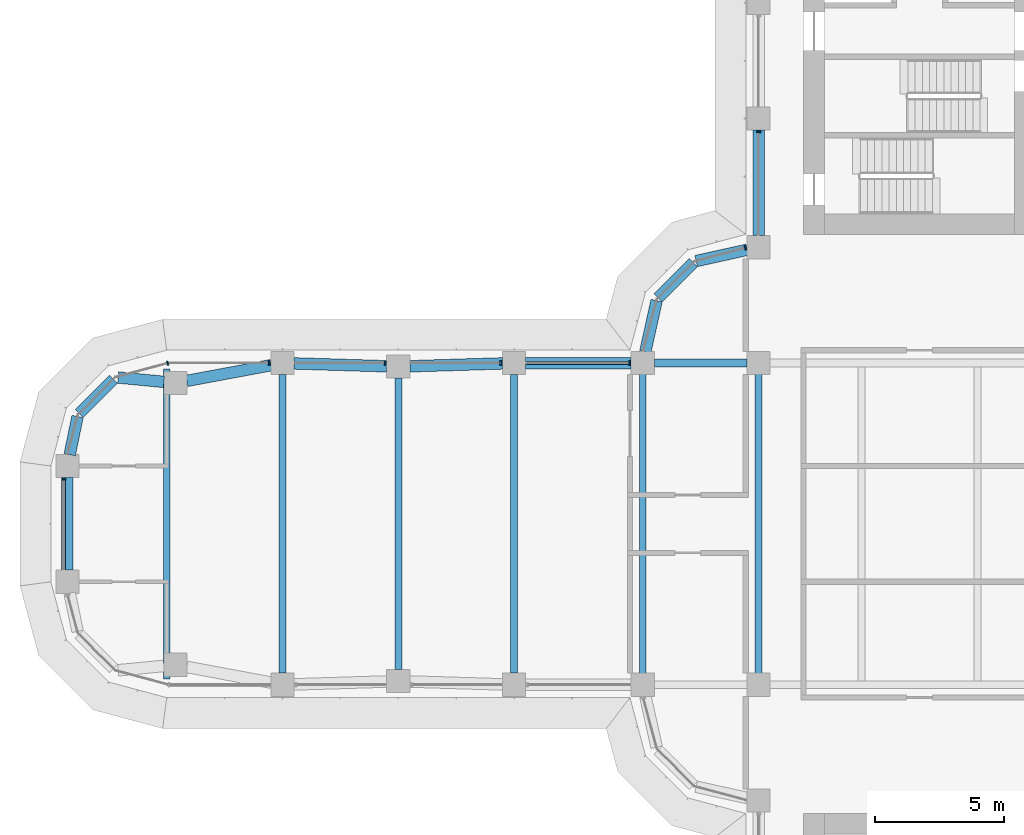
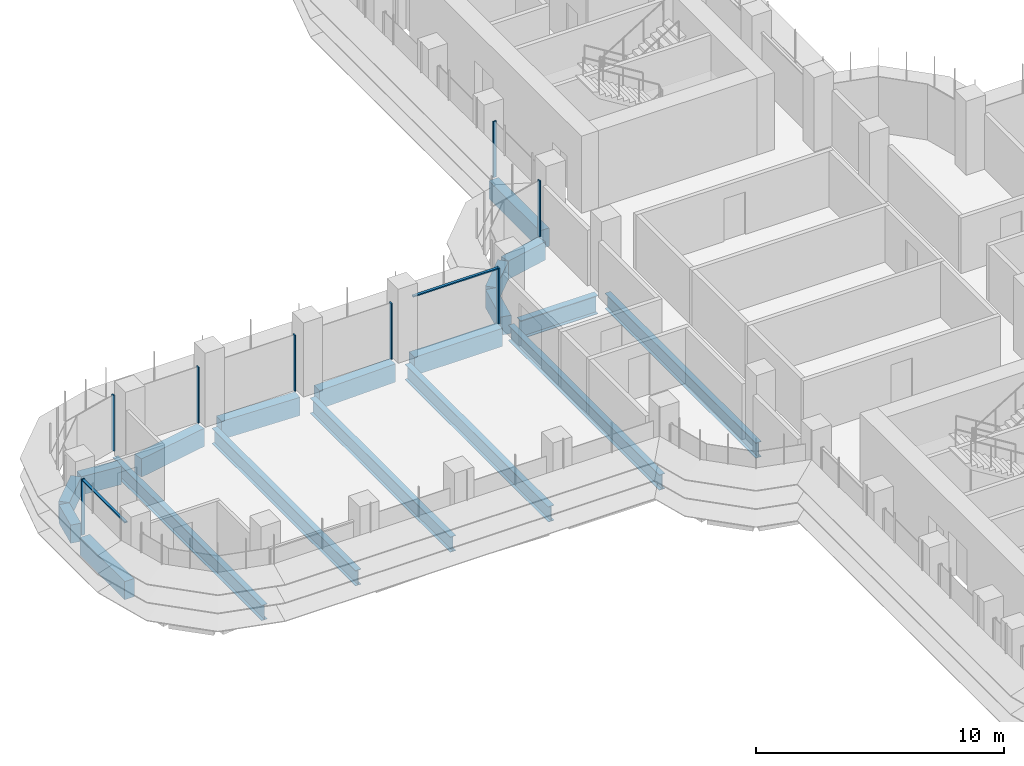
# One storey, part 6 of 22: 19 beams, 10 members, 5 elements without a shape of their own.
"""IFC4 building model written with IfcOpenShell, lengths in metres."""

from ifc_helpers import new_model, si_unit, direction, frame, origin, origin_2d, place, context, subcontext, project, spatial, polyline, rectangle, i_section, outline, extrude, source, transform, mapped, material, material_profile, profile_set, type_object, element, aggregate, save


model = new_model("IFC4")

# Units and contexts
model_context = context("Model", 3, precision=1e-05, world=origin(), true_north=direction((0.0, 1.0)))
body_context = subcontext(model_context, "Body", "Model", "MODEL_VIEW")
ifc_project = project(units=[si_unit("LENGTHUNIT", "METRE"), si_unit("AREAUNIT", "SQUARE_METRE"), si_unit("VOLUMEUNIT", "CUBIC_METRE"), si_unit("PLANEANGLEUNIT", "RADIAN"), si_unit("MASSUNIT", "GRAM", prefix="KILO")], contexts=[model_context])

# Site, building, storey
site_placement = place(None, origin())
site = spatial("IfcSite", under=ifc_project, at=site_placement, CompositionType="ELEMENT")
building_placement = place(site_placement, origin())
building = spatial("IfcBuilding", under=site, at=building_placement, Name="Zarbagh Exchange Tower", CompositionType="ELEMENT")
storey_placement = place(building_placement, frame((0.0, 0.0, 94.199951171875)))
storey = spatial("IfcBuildingStorey", under=building, at=storey_placement, Name="L21", CompositionType="ELEMENT", Elevation=94.199951171875)

# Beams
ifc_material_1 = material(Name="Steel ASTM A992 Gr 50", Category="steel")
ifc_material_profile_1 = material_profile(ifc_material_1, i_section(OverallWidth=0.2666015625, OverallDepth=0.7568359375, WebThickness=0.013916015625, FlangeThickness=0.019287109375, at=origin_2d()), Name="W30X108")
ifc_profile_set_1 = profile_set([ifc_material_profile_1], Name="Steel ASTM A992 Gr 50")
beam_type_1 = type_object("IfcBeamType", Name="Floor beam W30X108", PredefinedType="BEAM", material=ifc_profile_set_1)
for number, where, z_axis, x_axis, name in (
    (1, (-10.75, -6.09765625, -0.5283203125), (0.0, 1.0, 0.0), (-1.0, 0.0, 0.0), "Steel floor beam"),
    (2, (-6.25, -6.09765625, -0.5283203125), (0.0, 1.0, 0.0), (-1.0, 0.0, 0.0), "Steel floor beam"),
):
    element("IfcBeam", number, at=place(storey_placement, frame(where, z_axis=z_axis, x_axis=x_axis)), inside=storey, type_object=beam_type_1, Name=name, PredefinedType="BEAM", context=body_context, shape_type="SweptSolid", body=[
        extrude(i_section(OverallWidth=0.2666015625, OverallDepth=0.7568359375, WebThickness=0.013916015625, FlangeThickness=0.019287109375, at=origin_2d()), origin(), (0.0, 0.0, 1.0), 12.1953125),
    ])
beam_1_placement = place(storey_placement, frame((-15.75, -5.800048828125, -0.5283203125), z_axis=(0.0, 1.0, 0.0), x_axis=(-1.0, 0.0, 0.0)))
element("IfcBeam", 3, at=beam_1_placement, inside=storey, type_object=beam_type_1, Name="Steel floor beam", PredefinedType="BEAM", context=body_context, shape_type="SweptSolid", body=[
    extrude(i_section(OverallWidth=0.2666015625, OverallDepth=0.7568359375, WebThickness=0.013916015625, FlangeThickness=0.019287109375, at=origin_2d()), origin(), (0.0, 0.0, 1.0), 11.60009765625),
])
beam_2_placement = place(storey_placement, frame((-20.25, -5.659912109375, -0.5283203125), z_axis=(0.0, 1.0, 0.0), x_axis=(-1.0, 0.0, 0.0)))
element("IfcBeam", 4, at=beam_2_placement, inside=storey, type_object=beam_type_1, Name="Steel floor beam", PredefinedType="BEAM", context=body_context, shape_type="SweptSolid", body=[
    extrude(i_section(OverallWidth=0.2666015625, OverallDepth=0.7568359375, WebThickness=0.013916015625, FlangeThickness=0.019287109375, at=origin_2d()), origin(), (0.0, 0.0, 1.0), 11.31982421875),
])
beam_3_placement = place(storey_placement, frame((-24.75, -5.800048828125, -0.5283203125), z_axis=(0.0, 1.0, 0.0), x_axis=(-1.0, 0.0, 0.0)))
element("IfcBeam", 5, at=beam_3_placement, inside=storey, type_object=beam_type_1, Name="Steel floor beam", PredefinedType="BEAM", context=body_context, shape_type="SweptSolid", body=[
    extrude(i_section(OverallWidth=0.2666015625, OverallDepth=0.7568359375, WebThickness=0.013916015625, FlangeThickness=0.019287109375, at=origin_2d()), origin(), (0.0, 0.0, 1.0), 11.60009765625),
])
beam_4_placement = place(storey_placement, frame((-29.25, -6.02490234375, -0.5283203125), z_axis=(0.0, 1.0, 0.0), x_axis=(-1.0, 0.0, 0.0)))
element("IfcBeam", 6, at=beam_4_placement, inside=storey, type_object=beam_type_1, Name="Steel floor beam", PredefinedType="BEAM", context=body_context, shape_type="SweptSolid", body=[
    extrude(i_section(OverallWidth=0.2666015625, OverallDepth=0.7568359375, WebThickness=0.013916015625, FlangeThickness=0.019287109375, at=origin_2d()), origin(), (0.0, 0.0, 1.0), 12.0498046875),
])
ifc_material_profile_2 = material_profile(ifc_material_1, i_section(OverallWidth=0.3046875, OverallDepth=0.911865234375, WebThickness=0.015869140625, FlangeThickness=0.02392578125, at=origin_2d()), Name="W36X150")
ifc_profile_set_2 = profile_set([ifc_material_profile_2], Name="Steel ASTM A992 Gr 50")
beam_type_2 = type_object("IfcBeamType", Name="Floor girder W36X150", PredefinedType="BEAM", material=ifc_profile_set_2)
beam_5_placement = place(storey_placement, frame((-10.300048828125, 6.25, -0.60595703125), z_axis=(1.0, 0.0, 0.0), x_axis=(0.0, 1.0, 0.0)))
element("IfcBeam", 7, at=beam_5_placement, inside=storey, type_object=beam_type_2, Name="Steel girder", PredefinedType="BEAM", context=body_context, shape_type="SweptSolid", body=[
    extrude(i_section(OverallWidth=0.3046875, OverallDepth=0.911865234375, WebThickness=0.015869140625, FlangeThickness=0.02392578125, at=origin_2d()), origin(), (0.0, 0.0, 1.0), 3.60009765625),
])
ifc_material_2 = material(Name="Concrete C60/75", Category="concrete")
ifc_material_profile_3 = material_profile(ifc_material_2, rectangle(XDim=0.449951171875, YDim=0.89990234375, at=origin_2d()), Name="RC spandrel beam 450 x 900 C60/75")
ifc_profile_set_3 = profile_set([ifc_material_profile_3], Name="Concrete C60/75")
beam_type_3 = type_object("IfcBeamType", Name="RC spandrel beam 450 x 900 C60/75", PredefinedType="SPANDREL", material=ifc_profile_set_3)
beam_6_placement = place(storey_placement, frame((-33.110107421875, -1.800048828125, -0.599853515625), z_axis=(0.0, 1.0, 0.0), x_axis=(-1.0, 0.0, 0.0)))
element("IfcBeam", 8, at=beam_6_placement, inside=storey, type_object=beam_type_3, Name="RC spandrel beam", PredefinedType="SPANDREL", context=body_context, shape_type="SweptSolid", body=[
    extrude(rectangle(XDim=0.449951171875, YDim=0.89990234375, at=origin_2d()), origin(), (0.0, 0.0, 1.0), 3.60009765625),
])
beam_7_placement = place(storey_placement, frame((-33.01904296875, 2.690673828125, -0.599853515625), z_axis=(0.202275417995, 0.979328675816, 0.0), x_axis=(-0.979328675816, 0.202275417995, 0.0)))
element("IfcBeam", 9, at=beam_7_placement, inside=storey, type_object=beam_type_3, Name="RC spandrel beam", PredefinedType="SPANDREL", context=body_context, shape_type="SweptSolid", body=[
    extrude(rectangle(XDim=0.449951171875, YDim=0.89990234375, at=origin_2d()), origin(), (0.0, 0.0, 1.0), 1.515869140625),
])
beam_8_placement = place(storey_placement, frame((-32.651123046875, 4.288818359375, -0.599853515625), z_axis=(0.707106781187, 0.707106781187, 0.0), x_axis=(-0.707106781187, 0.707106781187, 0.0)))
element("IfcBeam", 10, at=beam_8_placement, inside=storey, type_object=beam_type_3, Name="RC spandrel beam", PredefinedType="SPANDREL", context=body_context, shape_type="SweptSolid", body=[
    extrude(rectangle(XDim=0.449951171875, YDim=0.89990234375, at=origin_2d()), origin(), (0.0, 0.0, 1.0), 1.887939453125),
])
beam_9_placement = place(storey_placement, frame((-31.135498046875, 5.688720703125, -0.599853515625), z_axis=(0.995433267802, -0.095459988228, 0.0), x_axis=(0.095459988228, 0.995433267802, 0.0)))
element("IfcBeam", 11, at=beam_9_placement, inside=storey, type_object=beam_type_3, Name="RC spandrel beam", PredefinedType="SPANDREL", context=body_context, shape_type="SweptSolid", body=[
    extrude(rectangle(XDim=0.449951171875, YDim=0.89990234375, at=origin_2d()), origin(), (0.0, 0.0, 1.0), 1.78759765625),
])
beam_10_placement = place(storey_placement, frame((-28.465576171875, 5.5576171875, -0.599853515625), z_axis=(0.98308156541, 0.183168326277, 0.0), x_axis=(-0.183168326277, 0.98308156541, 0.0)))
element("IfcBeam", 12, at=beam_10_placement, inside=storey, type_object=beam_type_3, Name="RC spandrel beam", PredefinedType="SPANDREL", context=body_context, shape_type="SweptSolid", body=[
    extrude(rectangle(XDim=0.449951171875, YDim=0.89990234375, at=origin_2d()), origin(), (0.0, 0.0, 1.0), 3.32958984375),
])
for number, where, z_axis, x_axis, name in (
    (13, (-24.30029296875, 6.236083984375, -0.599853515625), (0.999516035224, -0.031107801747, 0.0), (0.031107801747, 0.999516035224, 0.0), "RC spandrel beam"),
    (14, (-19.80029296875, 6.1240234375, -0.599853515625), (0.999516035224, 0.031107801747, 0.0), (-0.031107801747, 0.999516035224, 0.0), "RC spandrel beam"),
):
    element("IfcBeam", number, at=place(storey_placement, frame(where, z_axis=z_axis, x_axis=x_axis)), inside=storey, type_object=beam_type_3, Name=name, PredefinedType="SPANDREL", context=body_context, shape_type="SweptSolid", body=[
        extrude(rectangle(XDim=0.449951171875, YDim=0.89990234375, at=origin_2d()), origin(), (0.0, 0.0, 1.0), 3.602294921875),
    ])
beam_11_placement = place(storey_placement, frame((-15.300048828125, 6.25, -0.599853515625), z_axis=(1.0, 0.0, 0.0), x_axis=(0.0, 1.0, 0.0)))
element("IfcBeam", 15, at=beam_11_placement, inside=storey, type_object=beam_type_3, Name="RC spandrel beam", PredefinedType="SPANDREL", context=body_context, shape_type="SweptSolid", body=[
    extrude(rectangle(XDim=0.449951171875, YDim=0.89990234375, at=origin_2d()), origin(), (0.0, 0.0, 1.0), 4.10009765625),
])
beam_12_placement = place(storey_placement, frame((-10.65283203125, 6.689453125, -0.599853515625), z_axis=(0.216117666208, 0.976367325525, 0.0), x_axis=(-0.976367325525, 0.216117666208, 0.0)))
element("IfcBeam", 16, at=beam_12_placement, inside=storey, type_object=beam_type_3, Name="RC spandrel beam", PredefinedType="SPANDREL", context=body_context, shape_type="SweptSolid", body=[
    extrude(rectangle(XDim=0.449951171875, YDim=0.89990234375, at=origin_2d()), origin(), (0.0, 0.0, 1.0), 2.03564453125),
])
beam_13_placement = place(storey_placement, frame((-10.15234375, 8.78759765625, -0.599853515625), z_axis=(0.707106781187, 0.707106781187, 0.0), x_axis=(-0.707106781187, 0.707106781187, 0.0)))
element("IfcBeam", 17, at=beam_13_placement, inside=storey, type_object=beam_type_3, Name="RC spandrel beam", PredefinedType="SPANDREL", context=body_context, shape_type="SweptSolid", body=[
    extrude(rectangle(XDim=0.449951171875, YDim=0.89990234375, at=origin_2d()), origin(), (0.0, 0.0, 1.0), 1.929931640625),
])
beam_14_placement = place(storey_placement, frame((-8.677001953125, 10.212890625, -0.599853515625), z_axis=(0.976367325525, 0.216117666208, 0.0), x_axis=(-0.216117666208, 0.976367325525, 0.0)))
element("IfcBeam", 18, at=beam_14_placement, inside=storey, type_object=beam_type_3, Name="RC spandrel beam", PredefinedType="SPANDREL", context=body_context, shape_type="SweptSolid", body=[
    extrude(rectangle(XDim=0.449951171875, YDim=0.89990234375, at=origin_2d()), origin(), (0.0, 0.0, 1.0), 2.03564453125),
])
beam_15_placement = place(storey_placement, frame((-6.25, 11.199951171875, -0.599853515625), z_axis=(0.0, 1.0, 0.0), x_axis=(-1.0, 0.0, 0.0)))
element("IfcBeam", 19, at=beam_15_placement, inside=storey, type_object=beam_type_3, Name="RC spandrel beam", PredefinedType="SPANDREL", context=body_context, shape_type="SweptSolid", body=[
    extrude(rectangle(XDim=0.449951171875, YDim=0.89990234375, at=origin_2d()), origin(), (0.0, 0.0, 1.0), 4.10009765625),
])

# Curtain wall, member
ifc_material_3 = material(Name="Anodised aluminium frame and glazing", Category="aluminium")
curtain_wall_type = type_object("IfcCurtainWallType", Name="CWA Ribbon glazing, lower zones", PredefinedType="NOTDEFINED", material=ifc_material_3)
curtain_wall_1_placement = place(storey_placement, origin())
curtain_wall_1 = element("IfcCurtainWall", 20, at=curtain_wall_1_placement, inside=storey, type_object=curtain_wall_type, Name="CWA56 curtain wall", PredefinedType="NOTDEFINED")
ifc_material_4 = material(Name="Anodised aluminium frame", Category="aluminium")
member_type_1 = type_object("IfcMemberType", Name="MUA Mullion, anodised aluminium frame", PredefinedType="MULLION", material=ifc_material_4)
shared_shape_1 = source(origin(), body_context, "Body", "SweptSolid", [
    extrude(outline(polyline([(0.0, -0.080078125), (0.06005859375, -0.080078125), (0.06005859375, 0.080078125), (0.0, 0.080078125), (0.0, -0.080078125)])), origin(), (0.0, 0.0, 1.0), 2.75),
])
placement = place(storey_placement, origin())
member_1 = element("IfcMember", 21, at=placement, type_object=member_type_1, Name="CWA56 mullion 4.1", PredefinedType="MULLION", context=body_context, shape_type="MappedRepresentation", body=[
    mapped(shared_shape_1, transform((-6.25, 15.260009765625, 0.0), x_axis=(0.0, -1.0, 0.0), y_axis=(1.0, 0.0, 0.0), z_axis=(0.0, 0.0, 1.0))),
])
aggregate(curtain_wall_1, [member_1])

curtain_wall_2_placement = place(storey_placement, origin())
curtain_wall_2 = element("IfcCurtainWall", 22, at=curtain_wall_2_placement, inside=storey, type_object=curtain_wall_type, Name="CWA29 curtain wall", PredefinedType="NOTDEFINED")
member_2 = element("IfcMember", 23, at=placement, type_object=member_type_1, Name="CWA29 mullion 1.1", PredefinedType="MULLION", context=body_context, shape_type="MappedRepresentation", body=[
    mapped(shared_shape_1, transform((-6.739990234375, 10.735107421875, 0.0), x_axis=(-0.965924289636, -0.258824779902, 0.0), y_axis=(0.258824779902, -0.965924289636, 0.0), z_axis=(0.0, 0.0, 1.0))),
])
aggregate(curtain_wall_2, [member_2])

# Curtain wall, members
curtain_wall_3_placement = place(storey_placement, origin())
curtain_wall_3 = element("IfcCurtainWall", 24, at=curtain_wall_3_placement, inside=storey, type_object=curtain_wall_type, Name="CWA32 curtain wall", PredefinedType="NOTDEFINED")
member_3 = element("IfcMember", 25, at=placement, type_object=member_type_1, Name="CWA32 mullion 1.1", PredefinedType="MULLION", context=body_context, shape_type="MappedRepresentation", body=[
    mapped(shared_shape_1, transform((-11.239990234375, 6.25, 0.0), x_axis=(-1.0, 0.0, 0.0), y_axis=(0.0, -1.0, 0.0), z_axis=(0.0, 0.0, 1.0))),
])
member_4 = element("IfcMember", 26, at=placement, type_object=member_type_1, Name="CWA32 mullion 2.1", PredefinedType="MULLION", context=body_context, shape_type="MappedRepresentation", body=[
    mapped(shared_shape_1, transform((-16.239990234375, 6.25, 0.0), x_axis=(-1.0, 0.0, 0.0), y_axis=(0.0, -1.0, 0.0), z_axis=(0.0, 0.0, 1.0))),
])
member_5 = element("IfcMember", 27, at=placement, type_object=member_type_1, Name="CWA32 mullion 3.1", PredefinedType="MULLION", context=body_context, shape_type="MappedRepresentation", body=[
    mapped(shared_shape_1, transform((-20.739990234375, 6.25, 0.0), x_axis=(-1.0, 0.0, 0.0), y_axis=(0.0, -1.0, 0.0), z_axis=(0.0, 0.0, 1.0))),
])
member_6 = element("IfcMember", 28, at=placement, type_object=member_type_1, Name="CWA32 mullion 4.1", PredefinedType="MULLION", context=body_context, shape_type="MappedRepresentation", body=[
    mapped(shared_shape_1, transform((-25.239990234375, 6.25, 0.0), x_axis=(-1.0, 0.0, 0.0), y_axis=(0.0, -1.0, 0.0), z_axis=(0.0, 0.0, 1.0))),
])

# Curtain wall, member
curtain_wall_4_placement = place(storey_placement, origin())
curtain_wall_4 = element("IfcCurtainWall", 29, at=curtain_wall_4_placement, inside=storey, type_object=curtain_wall_type, Name="CWA33 curtain wall", PredefinedType="NOTDEFINED")
member_7 = element("IfcMember", 30, at=placement, type_object=member_type_1, Name="CWA33 mullion 1.1", PredefinedType="MULLION", context=body_context, shape_type="MappedRepresentation", body=[
    mapped(shared_shape_1, transform((-29.18408203125, 6.25, 0.0), x_axis=(-0.965924289636, -0.258824779902, 0.0), y_axis=(0.258824779902, -0.965924289636, 0.0), z_axis=(0.0, 0.0, 1.0))),
])
aggregate(curtain_wall_4, [member_7])

curtain_wall_5_placement = place(storey_placement, origin())
curtain_wall_5 = element("IfcCurtainWall", 31, at=curtain_wall_5_placement, inside=storey, type_object=curtain_wall_type, Name="CWA36 curtain wall", PredefinedType="NOTDEFINED")
member_8 = element("IfcMember", 32, at=placement, type_object=member_type_1, Name="CWA36 mullion 1.1", PredefinedType="MULLION", context=body_context, shape_type="MappedRepresentation", body=[
    mapped(shared_shape_1, transform((-33.25, 1.760009765625, 0.0), x_axis=(0.0, -1.0, 0.0), y_axis=(1.0, 0.0, 0.0), z_axis=(0.0, 0.0, 1.0))),
])

# Member
member_type_2 = type_object("IfcMemberType", Name="TRA Transom, anodised aluminium frame", PredefinedType="USERDEFINED", material=ifc_material_4)
shared_shape_2 = source(origin(), body_context, "Body", "SweptSolid", [
    extrude(outline(polyline([(-0.06005859375, -0.06005859375), (0.0, -0.06005859375), (0.0, 0.06005859375), (-0.06005859375, 0.06005859375), (-0.06005859375, -0.06005859375)])), origin(), (0.0, 0.0, 1.0), 3.9599609375),
])
member_9 = element("IfcMember", 33, at=placement, type_object=member_type_2, Name="CWA32 transom 1.1", ObjectType="TRANSOM", PredefinedType="USERDEFINED", context=body_context, shape_type="MappedRepresentation", body=[
    mapped(shared_shape_2, transform((-11.300048828125, 6.25, 2.75), x_axis=(0.0, 0.0, 1.0), y_axis=(0.0, 1.0, 0.0), z_axis=(-1.0, 0.0, 0.0))),
])

aggregate(curtain_wall_3, [member_3, member_9, member_4, member_5, member_6])

shared_shape_3 = source(origin(), body_context, "Body", "SweptSolid", [
    extrude(outline(polyline([(-0.06005859375, -0.06005859375), (0.0, -0.06005859375), (0.0, 0.06005859375), (-0.06005859375, 0.06005859375), (-0.06005859375, -0.06005859375)])), origin(), (0.0, 0.0, 1.0), 3.4599609375),
])
member_10 = element("IfcMember", 34, at=placement, type_object=member_type_2, Name="CWA36 transom 1.1", ObjectType="TRANSOM", PredefinedType="USERDEFINED", context=body_context, shape_type="MappedRepresentation", body=[
    mapped(shared_shape_3, transform((-33.25, 1.699951171875, 2.75), x_axis=(0.0, 0.0, 1.0), y_axis=(-1.0, 0.0, 0.0), z_axis=(0.0, -1.0, 0.0))),
])

aggregate(curtain_wall_5, [member_8, member_10])

save(model, "model.ifc")
